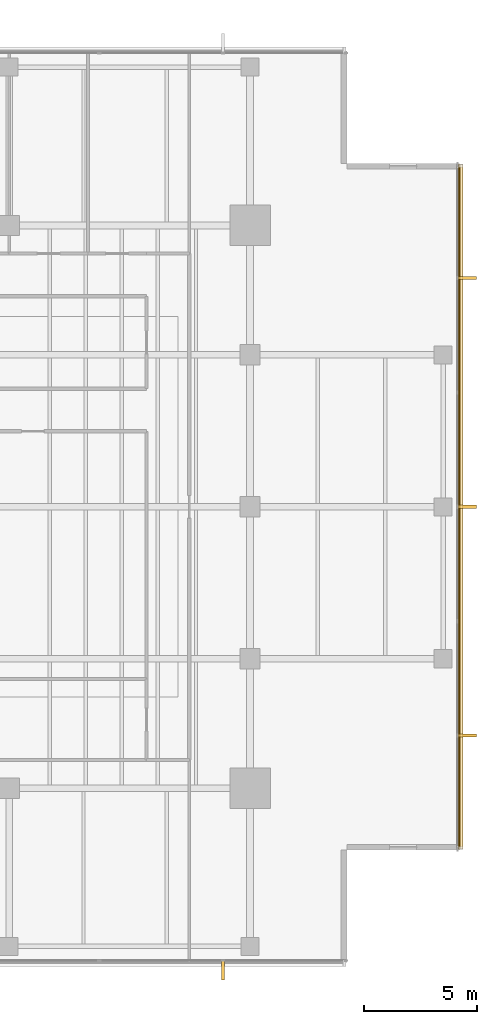
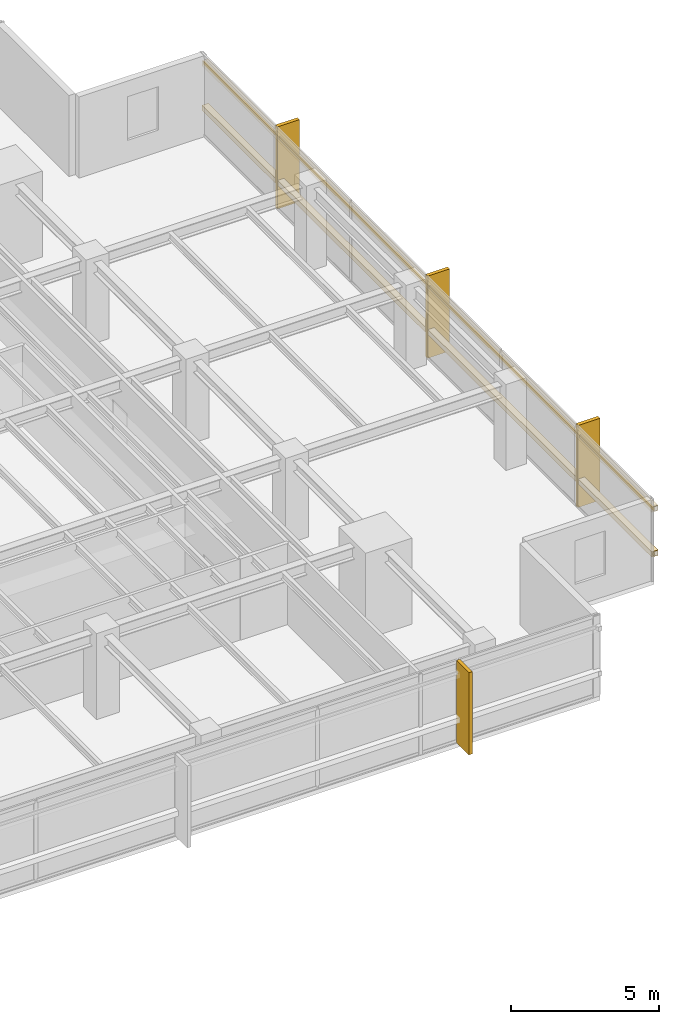
# One storey, part 14 of 15: 6 coverings, 2 shading devices.
"""IFC4 building model written with IfcOpenShell, lengths in metres."""

from ifc_helpers import new_model, si_unit, direction, frame, origin, origin_2d, place, context, subcontext, project, spatial, polyline, rectangle, outline, extrude, material, layer, layer_set, material_profile, profile_set, type_object, element, save


model = new_model("IFC4")

# Units and contexts
model_context = context("Model", 3, precision=1e-05, world=origin(), true_north=direction((0.0, 1.0)))
body_context = subcontext(model_context, "Body", "Model", "MODEL_VIEW")
ifc_project = project(units=[si_unit("LENGTHUNIT", "METRE"), si_unit("AREAUNIT", "SQUARE_METRE"), si_unit("VOLUMEUNIT", "CUBIC_METRE"), si_unit("PLANEANGLEUNIT", "RADIAN"), si_unit("MASSUNIT", "GRAM", prefix="KILO")], contexts=[model_context])

# Site, building, storey
site_placement = place(None, origin())
site = spatial("IfcSite", under=ifc_project, at=site_placement, CompositionType="ELEMENT")
building_placement = place(site_placement, origin())
building = spatial("IfcBuilding", under=site, at=building_placement, Name="Kinhvarn Gate Tower", CompositionType="ELEMENT")
storey_placement = place(building_placement, frame((0.0, 0.0, 237.75)))
storey = spatial("IfcBuildingStorey", under=building, at=storey_placement, Name="L63", CompositionType="ELEMENT", Elevation=237.75)

# Coverings
ifc_material = material(Name="Fired architectural terracotta", Category="masonry")
ifc_layer_1 = layer(ifc_material, 0.239990234375)
ifc_layer_set_1 = layer_set([ifc_layer_1], Name="Fired architectural terracotta")
covering_type_1 = type_object("IfcCoveringType", Name="COV-BAG-220", PredefinedType="CLADDING", material=ifc_layer_set_1)
for number, where, name in (
    (1, (0.0, 0.0, 0.93994140625), "Terracotta Horizontal Sunscreen Band TBG-220 (L63)"),
    (2, (0.0, 0.0, 2.7900390625), "Terracotta Horizontal Sunscreen Band TBG-220 (L63)"),
):
    element("IfcCovering", number, at=place(storey_placement, frame(where)), inside=storey, type_object=covering_type_1, Name=name, PredefinedType="CLADDING", context=body_context, shape_type="SweptSolid", body=[
        extrude(outline(polyline([(47.429931640625, 10.0400390625), (47.429931640625, 40.4599609375), (47.669921875, 40.4599609375), (47.669921875, 10.0400390625), (47.429931640625, 10.0400390625)])), origin(), (0.0, 0.0, 1.0), 0.219970703125),
    ])
ifc_layer_2 = layer(ifc_material, 0.139892578125)
ifc_layer_set_2 = layer_set([ifc_layer_2], Name="Fired architectural terracotta")
covering_type_2 = type_object("IfcCoveringType", Name="COV-FIN-850", PredefinedType="CLADDING", material=ifc_layer_set_2)
covering_1_placement = place(storey_placement, frame((0.0, 0.0, -0.02001953125)))
element("IfcCovering", 3, at=covering_1_placement, inside=storey, type_object=covering_type_2, Name="Vertical Terracotta Expressive Fin TFN-850 (L63)", PredefinedType="CLADDING", context=body_context, shape_type="SweptSolid", body=[
    extrude(outline(polyline([(36.929931640625, 5.080078125), (37.070068359375, 5.080078125), (37.070068359375, 4.22998046875), (36.929931640625, 4.22998046875), (36.929931640625, 5.080078125)])), origin(), (0.0, 0.0, 1.0), 3.39013671875),
])
covering_2_placement = place(storey_placement, frame((0.0, 0.0, -0.02001953125)))
element("IfcCovering", 4, at=covering_2_placement, inside=storey, type_object=covering_type_2, Name="Vertical Terracotta Expressive Fin TFN-850 (L63)", PredefinedType="CLADDING", context=body_context, shape_type="SweptSolid", body=[
    extrude(outline(polyline([(47.419921875, 15.01318359375), (47.419921875, 15.1533203125), (48.27001953125, 15.1533203125), (48.27001953125, 15.01318359375), (47.419921875, 15.01318359375)])), origin(), (0.0, 0.0, 1.0), 3.39013671875),
])
covering_3_placement = place(storey_placement, frame((0.0, 0.0, -0.02001953125)))
element("IfcCovering", 5, at=covering_3_placement, inside=storey, type_object=covering_type_2, Name="Vertical Terracotta Expressive Fin TFN-850 (L63)", PredefinedType="CLADDING", context=body_context, shape_type="SweptSolid", body=[
    extrude(outline(polyline([(47.419921875, 25.179931640625), (47.419921875, 25.320068359375), (48.27001953125, 25.320068359375), (48.27001953125, 25.179931640625), (47.419921875, 25.179931640625)])), origin(), (0.0, 0.0, 1.0), 3.39013671875),
])
covering_4_placement = place(storey_placement, frame((0.0, 0.0, -0.02001953125)))
element("IfcCovering", 6, at=covering_4_placement, inside=storey, type_object=covering_type_2, Name="Vertical Terracotta Expressive Fin TFN-850 (L63)", PredefinedType="CLADDING", context=body_context, shape_type="SweptSolid", body=[
    extrude(outline(polyline([(47.419921875, 35.3466796875), (47.419921875, 35.48681640625), (48.27001953125, 35.48681640625), (48.27001953125, 35.3466796875), (47.419921875, 35.3466796875)])), origin(), (0.0, 0.0, 1.0), 3.39013671875),
])

# Shading devices
ifc_material_profile = material_profile(ifc_material, rectangle(XDim=0.050048828125, YDim=0.1201171875, at=origin_2d()), Name="TC 50x120")
ifc_profile_set = profile_set([ifc_material_profile], Name="Fired architectural terracotta")
shading_device_type = type_object("IfcShadingDeviceType", Name="SHD-BAG-140", PredefinedType="USERDEFINED", material=ifc_profile_set)
for number, where, z_axis, x_axis, name in (
    (7, (47.5, 10.0400390625, 1.050048828125), (0.0, 1.0, 0.0), (-1.0, 0.0, 0.0), "Upper Tower Terracotta Baguette Screen Rod 50x120 mm (L63)"),
    (8, (47.5, 10.0400390625, 2.89990234375), (0.0, 1.0, 0.0), (-1.0, 0.0, 0.0), "Upper Tower Terracotta Baguette Screen Rod 50x120 mm (L63)"),
):
    element("IfcShadingDevice", number, at=place(storey_placement, frame(where, z_axis=z_axis, x_axis=x_axis)), inside=storey, type_object=shading_device_type, Name=name, ObjectType="BAGUETTE", PredefinedType="USERDEFINED", context=body_context, shape_type="SweptSolid", body=[
        extrude(rectangle(XDim=0.050048828125, YDim=0.1201171875, at=origin_2d()), origin(), (0.0, 0.0, 1.0), 30.419921875),
    ])

save(model, "model.ifc")
